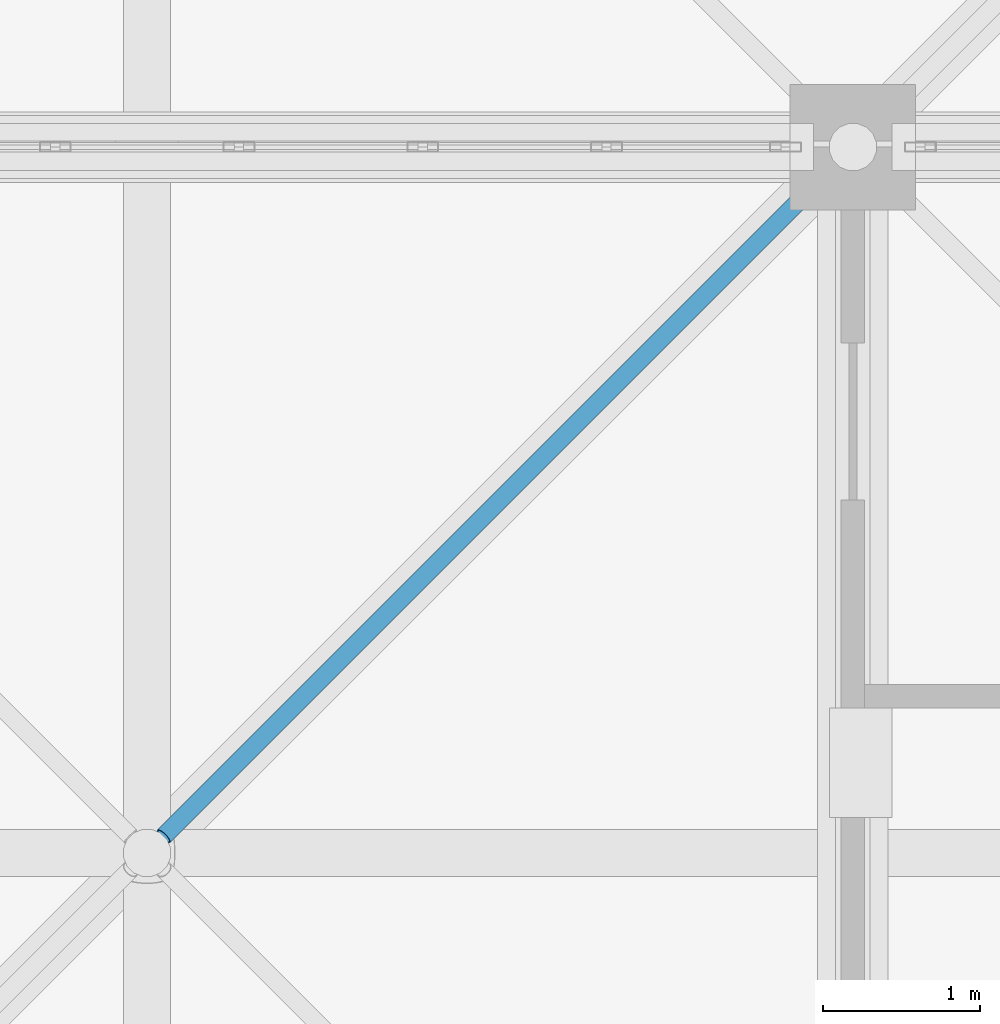
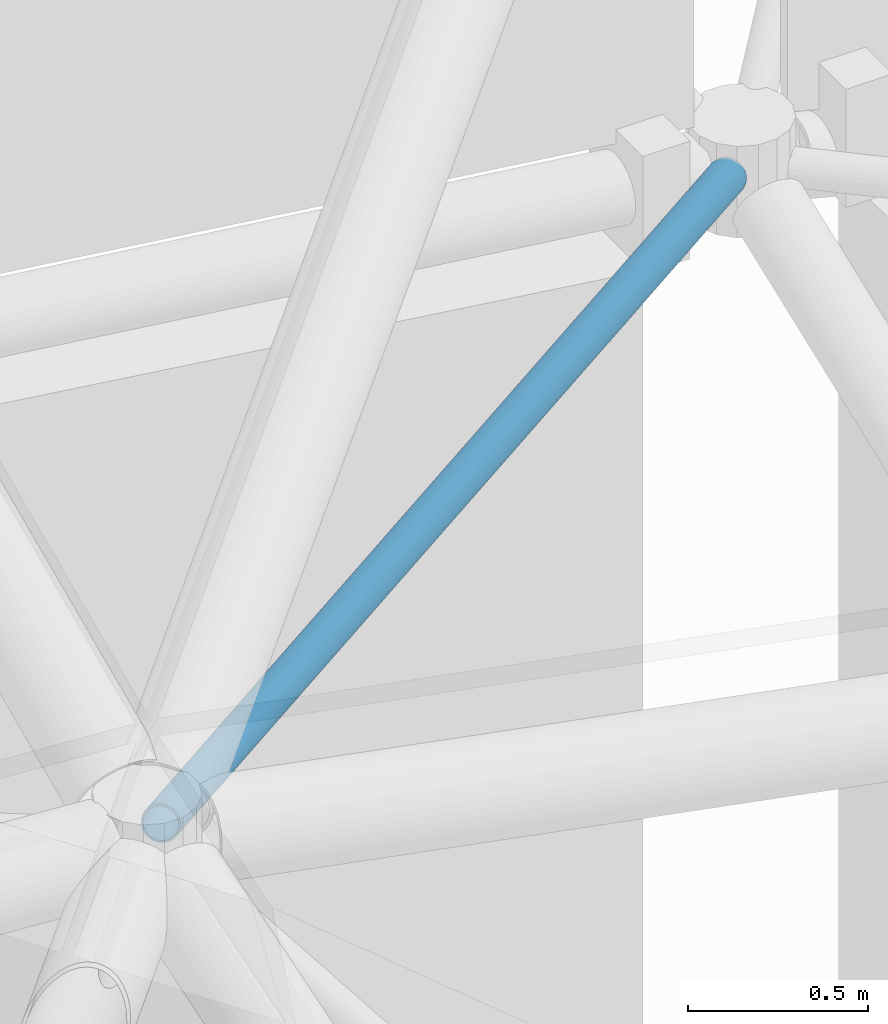
# One storey, part 132 of 437: 1 member.
"""IFC4 building model written with IfcOpenShell, lengths in metres."""

import ifcopenshell
import ifcopenshell.guid

model = None  # the IFC model being written
_history = None  # IfcOwnerHistory: only IFC2X3 demands one
_inside = {}  # id of a spatial element -> (the spatial element, [elements in it])
_under = {}  # id of a project, library or spatial element -> (it, [spatial elements below it])
_declared = {}  # id of a project -> (the project, [libraries it declares])
_typed = {}  # id of a type object -> (the type object, [elements of that type])
_made_of = {}  # id of a material, layer set ... -> (it, [elements and type objects made of it])


def new_model(schema):
    """Start an empty IFC model of exactly this schema.

    Asked for "IFC4X3", IfcOpenShell would pick the latest addendum, in which some entities
    have other attributes; the version numbers below select the first issue.
    IFC2X3 requires an IfcOwnerHistory on every rooted entity: one is made here for all.
    """
    global model, _history
    if schema == "IFC4X3":
        model = ifcopenshell.file(schema_version=(4, 3, 0, 0))
    else:
        model = ifcopenshell.file(schema=schema)
    _inside.clear()
    _under.clear()
    _declared.clear()
    _typed.clear()
    _made_of.clear()
    _history = None
    if model.schema == "IFC2X3":
        org = make("IfcOrganization", Name="unknown")
        user = make(
            "IfcPersonAndOrganization",
            ThePerson=make("IfcPerson", FamilyName="unknown"),
            TheOrganization=org,
        )
        app = make(
            "IfcApplication",
            ApplicationDeveloper=org,
            Version="unknown",
            ApplicationFullName="unknown",
            ApplicationIdentifier="unknown",
        )
        _history = make(
            "IfcOwnerHistory",
            OwningUser=user,
            OwningApplication=app,
            ChangeAction="ADDED",
            CreationDate=0,
        )
    return model


def make(cls, **values):
    """One entity of the class cls with the attributes given. An attribute that is None is left unset."""
    return model.create_entity(
        cls, **{name: value for name, value in values.items() if value is not None}
    )


def rooted(cls, **values):
    """An entity with a GlobalId (a new one), such as an element, a storey or a relation."""
    return make(cls, GlobalId=ifcopenshell.guid.new(), OwnerHistory=_history, **values)


def si_unit(unit_type, name, prefix=None):
    """IfcSIUnit, for example si_unit("LENGTHUNIT", "METRE", prefix="MILLI")."""
    return make("IfcSIUnit", UnitType=unit_type, Prefix=prefix, Name=name)


def assignment(units):
    """IfcUnitAssignment: the units of a project."""
    return None if units is None else make("IfcUnitAssignment", Units=units)


def point(xyz):
    """IfcCartesianPoint."""
    return None if xyz is None else make("IfcCartesianPoint", Coordinates=xyz)


def direction(xyz):
    """IfcDirection."""
    return None if xyz is None else make("IfcDirection", DirectionRatios=xyz)


def frame(location, z_axis=None, x_axis=None):
    """IfcAxis2Placement3D, a coordinate frame: its origin and axes. An axis left out is left unset."""
    return make(
        "IfcAxis2Placement3D",
        Location=point(location),
        Axis=direction(z_axis),
        RefDirection=direction(x_axis),
    )


def frame_2d(location, x_axis=None):
    """IfcAxis2Placement2D, a coordinate frame in the plane: its origin and x axis."""
    return make(
        "IfcAxis2Placement2D", Location=point(location), RefDirection=direction(x_axis)
    )


def origin():
    """The frame at (0, 0, 0) with its axes left unset."""
    return frame((0.0, 0.0, 0.0))


def origin_2d():
    """The frame at (0, 0) in the plane with its x axis left unset."""
    return frame_2d((0.0, 0.0))


def place(relative_to, where):
    """IfcLocalPlacement: puts the frame where relative to a parent placement (None: the world)."""
    return make(
        "IfcLocalPlacement", PlacementRelTo=relative_to, RelativePlacement=where
    )


def context(
    kind, dimensions, precision=None, world=None, true_north=None, identifier=None
):
    """IfcGeometricRepresentationContext, for example the 3D "Model" context."""
    return make(
        "IfcGeometricRepresentationContext",
        ContextIdentifier=identifier,
        ContextType=kind,
        CoordinateSpaceDimension=dimensions,
        Precision=precision,
        WorldCoordinateSystem=world,
        TrueNorth=true_north,
    )


def subcontext(parent, identifier, kind, view, scale=None):
    """IfcGeometricRepresentationSubContext, for example "Body" below "Model"."""
    return make(
        "IfcGeometricRepresentationSubContext",
        ContextIdentifier=identifier,
        ContextType=kind,
        ParentContext=parent,
        TargetScale=scale,
        TargetView=view,
    )


def project(units=None, contexts=None):
    """IfcProject with its units and contexts."""
    return rooted(
        "IfcProject",
        Name="project",
        RepresentationContexts=contexts,
        UnitsInContext=assignment(units),
    )


def spatial(cls, under=None, at=None, **own):
    """A site, building, storey or space (cls), placed at a placement, below another one or the project."""
    s = rooted(cls, ObjectPlacement=at, **own)
    if under is not None:
        _under.setdefault(under.id(), (under, []))[1].append(s)
    return s


def profile(cls, at=None, kind="AREA", **sizes):
    """A parametric profile (cls). Its sizes go by their IFC names, for example OverallWidth=200.0."""
    return make(cls, ProfileType=kind, Position=at, **sizes)


def hollow_circle(**sizes):
    """IfcCircleHollowProfileDef."""
    return profile("IfcCircleHollowProfileDef", **sizes)


def extrude(swept, where, along, depth):
    """IfcExtrudedAreaSolid: the profile swept, set in the frame where, extruded along a direction by depth."""
    return make(
        "IfcExtrudedAreaSolid",
        SweptArea=swept,
        Position=where,
        ExtrudedDirection=direction(along),
        Depth=depth,
    )


def shape(context_of_items, identifier, shape_type, items):
    """IfcShapeRepresentation: the items that make up one representation, for example the "Body"."""
    return make(
        "IfcShapeRepresentation",
        ContextOfItems=context_of_items,
        RepresentationIdentifier=identifier,
        RepresentationType=shape_type,
        Items=items,
    )


def material(Name=None, Category=None):
    """IfcMaterial."""
    return make("IfcMaterial", Name=Name, Category=Category)


def material_profile(
    of_material, cross_section, Name=None, Category=None, Priority=None
):
    """IfcMaterialProfile: a cross section and its material."""
    return make(
        "IfcMaterialProfile",
        Name=Name,
        Material=of_material,
        Profile=cross_section,
        Priority=Priority,
        Category=Category,
    )


def profile_set(profiles, Name=None, composite=None):
    """IfcMaterialProfileSet."""
    return make(
        "IfcMaterialProfileSet",
        Name=Name,
        MaterialProfiles=profiles,
        CompositeProfile=composite,
    )


def made_of(thing, what):
    """Note that an element or type object is made of a material, layer set ...; save() writes the relation."""
    if what is not None:
        _made_of.setdefault(what.id(), (what, []))[1].append(thing)
    return thing


def type_object(cls, material=None, **own):
    """A type object (cls), such as IfcWallType, which elements share."""
    return made_of(rooted(cls, **own), material)


def element(
    cls,
    number,
    at=None,
    inside=None,
    cuts=None,
    type_object=None,
    material=None,
    context=None,
    identifier="Body",
    shape_type=None,
    held_by="IfcProductDefinitionShape",
    body=None,
    shapes=None,
    **own,
):
    """One element of the class cls, such as IfcWall. Its Tag is "e" and its number.

    at: its placement. inside: the storey or other place that contains it. cuts: it is an
    opening in that element (IfcRelVoidsElement). A single representation is given by context,
    identifier, shape_type and body (its items); several are given by shapes. held_by: the class
    of the entity that holds the representations. save() writes the other relations.
    """
    e = rooted(cls, Tag="e%d" % number, ObjectPlacement=at, **own)
    if body is not None:
        shapes = [shape(context, identifier, shape_type, body)]
    if shapes is not None:
        e.Representation = make(held_by, Representations=shapes)
    if inside is not None:
        _inside.setdefault(inside.id(), (inside, []))[1].append(e)
    if cuts is not None:
        rooted(
            "IfcRelVoidsElement", RelatingBuildingElement=cuts, RelatedOpeningElement=e
        )
    if type_object is not None:
        _typed.setdefault(type_object.id(), (type_object, []))[1].append(e)
    return made_of(e, material)


def aggregate(whole, parts):
    """IfcRelAggregates: a whole, such as a stair, and the parts it consists of."""
    return rooted("IfcRelAggregates", RelatingObject=whole, RelatedObjects=parts)


def save(model, path):
    """Write the relations noted so far, then the file.

    IfcRelAggregates (storeys below a building ...), IfcRelContainedInSpatialStructure (elements
    in a storey), IfcRelDefinesByType, IfcRelAssociatesMaterial and IfcRelDeclares: one each for
    every whole, place, type object, material and project.
    """
    for whole, parts in _under.values():
        aggregate(whole, parts)
    for where, things in _inside.values():
        rooted(
            "IfcRelContainedInSpatialStructure",
            RelatedElements=things,
            RelatingStructure=where,
        )
    for kind, things in _typed.values():
        rooted("IfcRelDefinesByType", RelatedObjects=things, RelatingType=kind)
    for what, things in _made_of.values():
        rooted("IfcRelAssociatesMaterial", RelatedObjects=things, RelatingMaterial=what)
    for by, libraries in _declared.values():
        rooted("IfcRelDeclares", RelatingContext=by, RelatedDefinitions=libraries)
    model.write(path)


model = new_model("IFC4")

# Units and contexts
model_context = context("Model", 3, precision=1e-05, world=origin(), true_north=direction((0.0, 1.0)))
body_context = subcontext(model_context, "Body", "Model", "MODEL_VIEW")
ifc_project = project(units=[si_unit("LENGTHUNIT", "METRE"), si_unit("AREAUNIT", "SQUARE_METRE"), si_unit("VOLUMEUNIT", "CUBIC_METRE"), si_unit("PLANEANGLEUNIT", "RADIAN"), si_unit("MASSUNIT", "GRAM", prefix="KILO")], contexts=[model_context])

# Site, building, storey
site_placement = place(None, origin())
site = spatial("IfcSite", under=ifc_project, at=site_placement, CompositionType="ELEMENT")
building_placement = place(site_placement, origin())
building = spatial("IfcBuilding", under=site, at=building_placement, Name="Opaline Strait Convention Centre", CompositionType="ELEMENT")
storey_placement = place(building_placement, frame((0.0, 0.0, 11.5)))
storey = spatial("IfcBuildingStorey", under=building, at=storey_placement, Name="L02", CompositionType="ELEMENT", Elevation=11.5)

# Member
ifc_material = material(Name="Steel Q355B", Category="steel")
ifc_material_profile = material_profile(ifc_material, hollow_circle(Radius=0.056884765625, WallThickness=0.006103515625, at=origin_2d()), Name="CHS 114x6")
ifc_profile_set = profile_set([ifc_material_profile], Name="Steel Q355B")
member_type = type_object("IfcMemberType", Name="Shell truss web CHS 114x6", PredefinedType="BRACE", material=ifc_profile_set)
member_placement = place(storey_placement, frame((53.893798828125, 179.893798828125, 16.45654296875), z_axis=(-0.674355522785, -0.674355522785, 0.300814324422), x_axis=(0.707106781187, -0.707106781187, 0.0)))
element("IfcMember", 1, at=member_placement, inside=storey, type_object=member_type, Name="PWB3 web 6-8ac", PredefinedType="BRACE", context=body_context, shape_type="SweptSolid", body=[
    extrude(hollow_circle(Radius=0.056884765625, WallThickness=0.006103515625, at=origin_2d()), origin(), (0.0, 0.0, 1.0), 6.358154296875),
])

save(model, "model.ifc")
